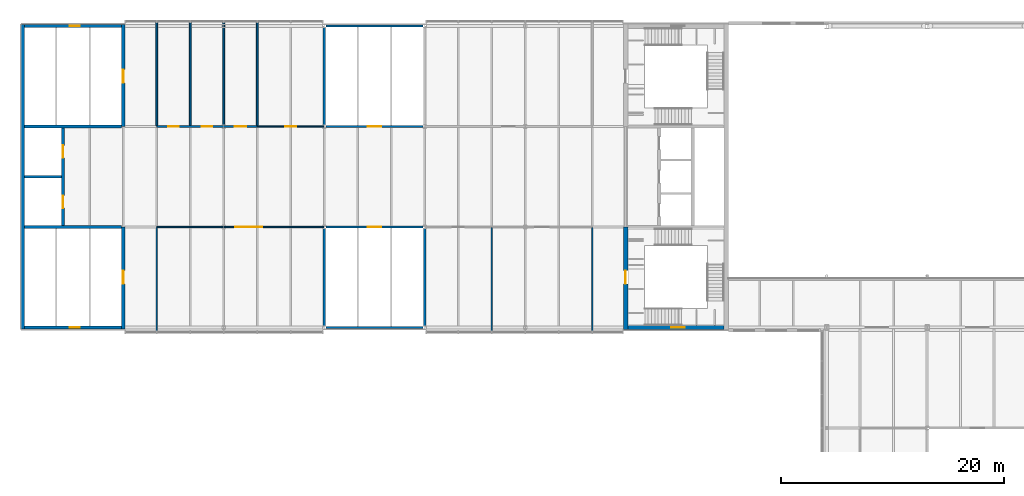
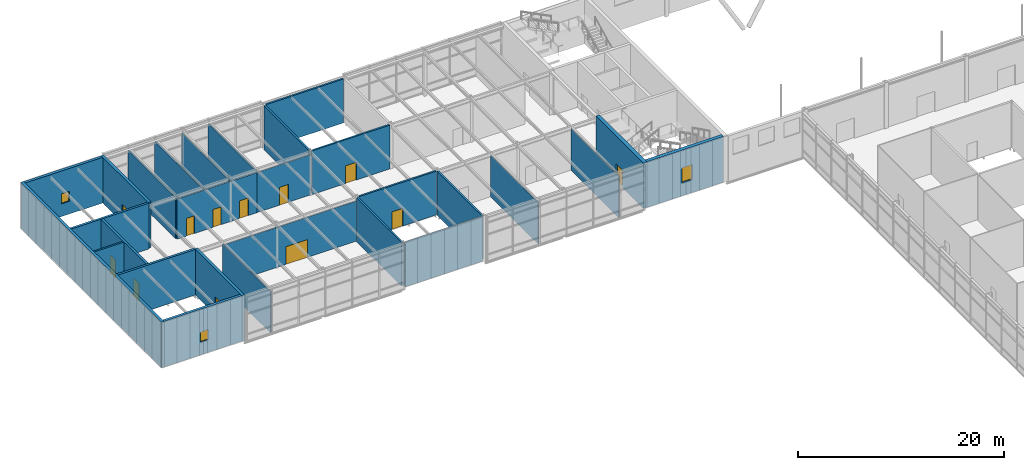
# One storey, part 36 of 46: 28 walls, 12 doors, 3 windows, 15 openings.
"""IFC4 building model written with IfcOpenShell, lengths in metres."""

from ifc_helpers import new_model, si_unit, direction, frame, frame_2d, origin, place, context, subcontext, project, spatial, rectangle, extrude, material, layer, layer_set, type_object, element, fill, save


model = new_model("IFC4")

# Units and contexts
model_context = context("Model", 3, precision=1e-05, world=origin(), true_north=direction((0.0, 1.0)))
body_context = subcontext(model_context, "Body", "Model", "MODEL_VIEW")
ifc_project = project(units=[si_unit("LENGTHUNIT", "METRE"), si_unit("AREAUNIT", "SQUARE_METRE"), si_unit("VOLUMEUNIT", "CUBIC_METRE"), si_unit("PLANEANGLEUNIT", "RADIAN"), si_unit("MASSUNIT", "GRAM", prefix="KILO")], contexts=[model_context])

# Site, building, storey
site_placement = place(None, origin())
site = spatial("IfcSite", under=ifc_project, at=site_placement, CompositionType="ELEMENT")
building_placement = place(site_placement, origin())
building = spatial("IfcBuilding", under=site, at=building_placement, Name="Azimuth Sports and Learning Centre", CompositionType="ELEMENT")
storey_placement = place(building_placement, frame((0.0, 0.0, 21.60009765625)))
storey = spatial("IfcBuildingStorey", under=building, at=storey_placement, Name="L04", CompositionType="ELEMENT", Elevation=21.60009765625)

# Wall
ifc_material_1 = material(Name="Dense masonry blockwork", Category="masonry")
ifc_layer_1 = layer(ifc_material_1, 0.199951171875)
ifc_layer_set_1 = layer_set([ifc_layer_1], Name="Dense masonry blockwork")
wall_type_1 = type_object("IfcWallType", Name="Blockwork wall 200 EI 120", PredefinedType="SOLIDWALL", material=ifc_layer_set_1)
wall_1_placement = place(storey_placement, frame((0.14990234375, 103.5, 0.0), z_axis=(0.0, 0.0, 1.0), x_axis=(1.0, 0.0, 0.0)))
element("IfcWall", 1, at=wall_1_placement, inside=storey, type_object=wall_type_1, Name="SD-WW-1-L04", PredefinedType="SOLIDWALL", context=body_context, shape_type="SweptSolid", body=[
    extrude(rectangle(XDim=3.3251953125, YDim=0.199951171875, at=frame_2d((1.66259765625, 0.0))), origin(), (0.0, 0.0, 1.0), 5.39990234375),
])

# Wall, opening, door
ifc_material_2 = material(Name="Gypsum board on steel studs", Category="steel")
ifc_layer_2 = layer(ifc_material_2, 0.10009765625)
ifc_layer_set_2 = layer_set([ifc_layer_2], Name="Gypsum board on steel studs")
wall_type_2 = type_object("IfcWallType", Name="Partition 100 EI 30", PredefinedType="PARTITIONING", material=ifc_layer_set_2)
wall_2_placement = place(storey_placement, frame((12.0, 99.0, 0.0), z_axis=(0.0, 0.0, 1.0), x_axis=(1.0, 0.0, 0.0)))
wall_2 = element("IfcWall", 2, at=wall_2_placement, inside=storey, type_object=wall_type_2, Name="Partition 100 EI 30", PredefinedType="PARTITIONING", context=body_context, shape_type="SweptSolid", body=[
    extrude(rectangle(XDim=15.0, YDim=0.10009765625, at=frame_2d((7.5, 0.0))), origin(), (0.0, 0.0, 1.0), 4.75),
])
opening_1_placement = place(wall_2_placement, frame((7.050048828125, 0.0, 0.0)))
opening_1 = element("IfcOpeningElement", 3, at=opening_1_placement, cuts=wall_2, Name="Opening D04-031", PredefinedType="OPENING", context=body_context, shape_type="SweptSolid", body=[
    extrude(rectangle(XDim=2.39990234375, YDim=2.10009765625, at=frame_2d((1.199951171875, 1.050048828125))), frame((0.0, 0.06103515625, 0.0), z_axis=(0.0, -1.0, 0.0), x_axis=(1.0, 0.0, 0.0)), (0.0, 0.0, 1.0), 0.1220703125),
])
ifc_material_3 = material(Name="Timber fire door set", Category="wood")
door_type_1 = type_object("IfcDoorType", Name="Timber door double 2400x2100 FD30S", OperationType="DOUBLE_DOOR_SINGLE_SWING", PredefinedType="DOOR", material=ifc_material_3)
door_1_placement = place(opening_1_placement, frame((2.39990234375, 0.0, 0.0), z_axis=(0.0, 0.0, 1.0), x_axis=(-1.0, 0.0, 0.0)))
door_1 = element("IfcDoor", 4, at=door_1_placement, inside=storey, type_object=door_type_1, Name="Door D04-031", OperationType="DOUBLE_DOOR_SINGLE_SWING", OverallHeight=2.10009765625, OverallWidth=2.39990234375, PredefinedType="DOOR", context=body_context, shape_type="SweptSolid", body=[
    extrude(rectangle(XDim=2.39990234375, YDim=2.10009765625, at=frame_2d((1.199951171875, 1.050048828125))), frame((0.0, 0.02490234375, 0.0), z_axis=(0.0, -1.0, 0.0), x_axis=(1.0, 0.0, 0.0)), (0.0, 0.0, 1.0), 0.050048828125),
])
fill(opening_1, door_1)

wall_3_placement = place(storey_placement, frame((21.0, 108.0, 0.0), z_axis=(0.0, 0.0, 1.0), x_axis=(1.0, 0.0, 0.0)))
wall_3 = element("IfcWall", 5, at=wall_3_placement, inside=storey, type_object=wall_type_2, Name="Partition 100 EI 30", PredefinedType="PARTITIONING", context=body_context, shape_type="SweptSolid", body=[
    extrude(rectangle(XDim=6.0, YDim=0.10009765625, at=frame_2d((3.0, 0.0))), origin(), (0.0, 0.0, 1.0), 4.75),
])
opening_2_placement = place(wall_3_placement, frame((2.5, 0.0, 0.0)))
opening_2 = element("IfcOpeningElement", 6, at=opening_2_placement, cuts=wall_3, Name="Opening D04-037", PredefinedType="OPENING", context=body_context, shape_type="SweptSolid", body=[
    extrude(rectangle(XDim=1.0, YDim=2.10009765625, at=frame_2d((0.5, 1.050048828125))), frame((0.0, 0.06103515625, 0.0), z_axis=(0.0, -1.0, 0.0), x_axis=(1.0, 0.0, 0.0)), (0.0, 0.0, 1.0), 0.1220703125),
])
ifc_material_4 = material(Name="Timber fire door set", Category="wood")
door_type_2 = type_object("IfcDoorType", Name="Timber door single 1000x2100 FD30S", OperationType="NOTDEFINED", PredefinedType="DOOR", material=ifc_material_4)
door_2_placement = place(opening_2_placement, origin())
door_2 = element("IfcDoor", 7, at=door_2_placement, inside=storey, type_object=door_type_2, Name="Door D04-037", OperationType="SINGLE_SWING_LEFT", OverallHeight=2.10009765625, OverallWidth=1.0, PredefinedType="DOOR", context=body_context, shape_type="SweptSolid", body=[
    extrude(rectangle(XDim=1.0, YDim=2.10009765625, at=frame_2d((0.5, 1.050048828125))), frame((0.0, 0.02490234375, 0.0), z_axis=(0.0, -1.0, 0.0), x_axis=(1.0, 0.0, 0.0)), (0.0, 0.0, 1.0), 0.050048828125),
])
fill(opening_2, door_2)

# Walls
for number, where, z_axis, x_axis, name in (
    (8, (12.0, 89.699951171875, 0.0), (0.0, 0.0, 1.0), (0.0, 1.0, 0.0), "Partition 100 EI 30"),
    (9, (42.0, 89.699951171875, 0.0), (0.0, 0.0, 1.0), (0.0, 1.0, 0.0), "Partition 100 EI 30"),
    (10, (51.0, 89.699951171875, 0.0), (0.0, 0.0, 1.0), (0.0, 1.0, 0.0), "Partition 100 EI 30"),
):
    element("IfcWall", number, at=place(storey_placement, frame(where, z_axis=z_axis, x_axis=x_axis)), inside=storey, type_object=wall_type_2, Name=name, PredefinedType="PARTITIONING", context=body_context, shape_type="SweptSolid", body=[
        extrude(rectangle(XDim=9.25, YDim=0.10009765625, at=frame_2d((4.625, 0.0))), origin(), (0.0, 0.0, 1.0), 4.89990234375),
    ])

# Wall, openings, doors
ifc_material_5 = material(Name="Lightweight blockwork, rendered", Category="masonry")
ifc_layer_3 = layer(ifc_material_5, 0.14990234375)
ifc_layer_set_3 = layer_set([ifc_layer_3], Name="Lightweight blockwork, rendered")
wall_type_3 = type_object("IfcWallType", Name="Partition 150 EI 60", PredefinedType="PARTITIONING", material=ifc_layer_set_3)
wall_4_placement = place(storey_placement, frame((12.0, 108.0, 0.0), z_axis=(0.0, 0.0, 1.0), x_axis=(1.0, 0.0, 0.0)))
wall_4 = element("IfcWall", 11, at=wall_4_placement, inside=storey, type_object=wall_type_3, Name="Partition 150 EI 60", PredefinedType="PARTITIONING", context=body_context, shape_type="SweptSolid", body=[
    extrude(rectangle(XDim=9.0, YDim=0.14990234375, at=frame_2d((4.5, 0.0))), origin(), (0.0, 0.0, 1.0), 4.75),
])
opening_3_placement = place(wall_4_placement, frame((1.050048828125, 0.0, 0.0)))
opening_3 = element("IfcOpeningElement", 12, at=opening_3_placement, cuts=wall_4, Name="Opening D04-034", PredefinedType="OPENING", context=body_context, shape_type="SweptSolid", body=[
    extrude(rectangle(XDim=0.89990234375, YDim=2.10009765625, at=frame_2d((0.449951171875, 1.050048828125))), frame((0.0, 0.0859375, 0.0), z_axis=(0.0, -1.0, 0.0), x_axis=(1.0, 0.0, 0.0)), (0.0, 0.0, 1.0), 0.171875),
])
opening_4_placement = place(wall_4_placement, frame((4.050048828125, 0.0, 0.0)))
opening_4 = element("IfcOpeningElement", 13, at=opening_4_placement, cuts=wall_4, Name="Opening D04-035", PredefinedType="OPENING", context=body_context, shape_type="SweptSolid", body=[
    extrude(rectangle(XDim=0.89990234375, YDim=2.10009765625, at=frame_2d((0.449951171875, 1.050048828125))), frame((0.0, 0.0859375, 0.0), z_axis=(0.0, -1.0, 0.0), x_axis=(1.0, 0.0, 0.0)), (0.0, 0.0, 1.0), 0.171875),
])
opening_5_placement = place(wall_4_placement, frame((7.0, 0.0, 0.0)))
opening_5 = element("IfcOpeningElement", 14, at=opening_5_placement, cuts=wall_4, Name="Opening D04-036", PredefinedType="OPENING", context=body_context, shape_type="SweptSolid", body=[
    extrude(rectangle(XDim=1.0, YDim=2.10009765625, at=frame_2d((0.5, 1.050048828125))), frame((0.0, 0.0859375, 0.0), z_axis=(0.0, -1.0, 0.0), x_axis=(1.0, 0.0, 0.0)), (0.0, 0.0, 1.0), 0.171875),
])
ifc_material_6 = material(Name="Timber fire door set", Category="wood")
door_type_3 = type_object("IfcDoorType", Name="Timber door single 1000x2100 FD60", OperationType="NOTDEFINED", PredefinedType="DOOR", material=ifc_material_6)
door_3_placement = place(opening_5_placement, origin())
door_3 = element("IfcDoor", 15, at=door_3_placement, inside=storey, type_object=door_type_3, Name="Door D04-036", OperationType="SINGLE_SWING_LEFT", OverallHeight=2.10009765625, OverallWidth=1.0, PredefinedType="DOOR", context=body_context, shape_type="SweptSolid", body=[
    extrude(rectangle(XDim=1.0, YDim=2.10009765625, at=frame_2d((0.5, 1.050048828125))), frame((0.0, 0.02490234375, 0.0), z_axis=(0.0, -1.0, 0.0), x_axis=(1.0, 0.0, 0.0)), (0.0, 0.0, 1.0), 0.050048828125),
])
fill(opening_5, door_3)
ifc_material_7 = material(Name="Timber fire door set", Category="wood")
door_type_4 = type_object("IfcDoorType", Name="Timber door single 900x2100 FD60", OperationType="NOTDEFINED", PredefinedType="DOOR", material=ifc_material_7)
door_4_placement = place(opening_3_placement, origin())
door_4 = element("IfcDoor", 16, at=door_4_placement, inside=storey, type_object=door_type_4, Name="Door D04-034", OperationType="SINGLE_SWING_RIGHT", OverallHeight=2.10009765625, OverallWidth=0.89990234375, PredefinedType="DOOR", context=body_context, shape_type="SweptSolid", body=[
    extrude(rectangle(XDim=0.89990234375, YDim=2.10009765625, at=frame_2d((0.449951171875, 1.050048828125))), frame((0.0, 0.02490234375, 0.0), z_axis=(0.0, -1.0, 0.0), x_axis=(1.0, 0.0, 0.0)), (0.0, 0.0, 1.0), 0.050048828125),
])
fill(opening_3, door_4)
door_5_placement = place(opening_4_placement, origin())
door_5 = element("IfcDoor", 17, at=door_5_placement, inside=storey, type_object=door_type_4, Name="Door D04-035", OperationType="SINGLE_SWING_LEFT", OverallHeight=2.10009765625, OverallWidth=0.89990234375, PredefinedType="DOOR", context=body_context, shape_type="SweptSolid", body=[
    extrude(rectangle(XDim=0.89990234375, YDim=2.10009765625, at=frame_2d((0.449951171875, 1.050048828125))), frame((0.0, 0.02490234375, 0.0), z_axis=(0.0, -1.0, 0.0), x_axis=(1.0, 0.0, 0.0)), (0.0, 0.0, 1.0), 0.050048828125),
])
fill(opening_4, door_5)

# Walls
for number, where, z_axis, x_axis, name in (
    (18, (12.0, 108.074951171875, 0.0), (0.0, 0.0, 1.0), (0.0, 1.0, 0.0), "Partition 150 EI 60"),
    (19, (15.0, 108.074951171875, 0.0), (0.0, 0.0, 1.0), (0.0, 1.0, 0.0), "Partition 150 EI 60"),
):
    element("IfcWall", number, at=place(storey_placement, frame(where, z_axis=z_axis, x_axis=x_axis)), inside=storey, type_object=wall_type_3, Name=name, PredefinedType="PARTITIONING", context=body_context, shape_type="SweptSolid", body=[
        extrude(rectangle(XDim=9.22509765625, YDim=0.14990234375, at=frame_2d((4.612548828125, 0.0))), origin(), (0.0, 0.0, 1.0), 4.89990234375),
    ])
wall_5_placement = place(storey_placement, frame((18.0, 108.074951171875, 0.0), z_axis=(0.0, 0.0, 1.0), x_axis=(0.0, 1.0, 0.0)))
element("IfcWall", 20, at=wall_5_placement, inside=storey, type_object=wall_type_3, Name="Partition 150 EI 60", PredefinedType="PARTITIONING", context=body_context, shape_type="SweptSolid", body=[
    extrude(rectangle(XDim=9.22509765625, YDim=0.14990234375, at=frame_2d((4.612548828125, 0.0))), origin(), (0.0, 0.0, 1.0), 4.83984375),
])
wall_6_placement = place(storey_placement, frame((21.0, 108.074951171875, 0.0), z_axis=(0.0, 0.0, 1.0), x_axis=(0.0, 1.0, 0.0)))
element("IfcWall", 21, at=wall_6_placement, inside=storey, type_object=wall_type_3, Name="Partition 150 EI 60", PredefinedType="PARTITIONING", context=body_context, shape_type="SweptSolid", body=[
    extrude(rectangle(XDim=9.22509765625, YDim=0.14990234375, at=frame_2d((4.612548828125, 0.0))), origin(), (0.0, 0.0, 1.0), 4.89990234375),
])

# Wall, opening, door
ifc_material_8 = material(Name="Concrete C40/50", Category="concrete")
ifc_layer_4 = layer(ifc_material_8, 0.199951171875)
ifc_layer_set_4 = layer_set([ifc_layer_4], Name="Concrete C40/50")
wall_type_4 = type_object("IfcWallType", Name="RC cell wall 200 EI 120", PredefinedType="SHEAR", material=ifc_layer_set_4)
wall_7_placement = place(storey_placement, frame((27.14990234375, 99.0, 0.0), z_axis=(0.0, 0.0, 1.0), x_axis=(1.0, 0.0, 0.0)))
wall_7 = element("IfcWall", 22, at=wall_7_placement, inside=storey, type_object=wall_type_4, Name="CE-WM1-N-L04", PredefinedType="SHEAR", context=body_context, shape_type="SweptSolid", body=[
    extrude(rectangle(XDim=8.7001953125, YDim=0.199951171875, at=frame_2d((4.35009765625, 0.0))), origin(), (0.0, 0.0, 1.0), 5.199951171875),
])
opening_6_placement = place(wall_7_placement, frame((3.75, 0.0, 0.0)))
opening_6 = element("IfcOpeningElement", 23, at=opening_6_placement, cuts=wall_7, Name="Opening D04-009", PredefinedType="OPENING", context=body_context, shape_type="SweptSolid", body=[
    extrude(rectangle(XDim=1.199951171875, YDim=2.10009765625, at=frame_2d((0.60009765625, 1.050048828125))), frame((0.0, 0.11083984375, 0.0), z_axis=(0.0, -1.0, 0.0), x_axis=(1.0, 0.0, 0.0)), (0.0, 0.0, 1.0), 0.221923828125),
])
ifc_material_9 = material(Name="Steel", Category="steel")
door_type_5 = type_object("IfcDoorType", Name="Stair fire door 1200 x 2100", OperationType="NOTDEFINED", PredefinedType="DOOR", material=ifc_material_9)
door_6_placement = place(opening_6_placement, origin())
door_6 = element("IfcDoor", 24, at=door_6_placement, inside=storey, type_object=door_type_5, Name="Stair door WM1 L04", OperationType="SINGLE_SWING_LEFT", OverallHeight=2.10009765625, OverallWidth=1.199951171875, PredefinedType="DOOR", context=body_context, shape_type="SweptSolid", body=[
    extrude(rectangle(XDim=1.199951171875, YDim=2.10009765625, at=frame_2d((0.60009765625, 1.050048828125))), frame((0.0, 0.02490234375, 0.0), z_axis=(0.0, -1.0, 0.0), x_axis=(1.0, 0.0, 0.0)), (0.0, 0.0, 1.0), 0.050048828125),
])
fill(opening_6, door_6)

# Walls
for number, where, z_axis, x_axis, name in (
    (25, (27.0, 90.14990234375, 0.0), (0.0, 0.0, 1.0), (0.0, 1.0, 0.0), "CE-WM1-W-L04"),
    (26, (36.0, 90.14990234375, 0.0), (0.0, 0.0, 1.0), (0.0, 1.0, 0.0), "CE-WM1-E-L04"),
):
    element("IfcWall", number, at=place(storey_placement, frame(where, z_axis=z_axis, x_axis=x_axis)), inside=storey, type_object=wall_type_4, Name=name, PredefinedType="SHEAR", context=body_context, shape_type="SweptSolid", body=[
        extrude(rectangle(XDim=8.7001953125, YDim=0.199951171875, at=frame_2d((4.35009765625, 0.0))), origin(), (0.0, 0.0, 1.0), 5.199951171875),
    ])

# Wall, opening, door
wall_8_placement = place(storey_placement, frame((27.14990234375, 108.0, 0.0), z_axis=(0.0, 0.0, 1.0), x_axis=(1.0, 0.0, 0.0)))
wall_8 = element("IfcWall", 27, at=wall_8_placement, inside=storey, type_object=wall_type_4, Name="CE-WM2-S-L04", PredefinedType="SHEAR", context=body_context, shape_type="SweptSolid", body=[
    extrude(rectangle(XDim=8.7001953125, YDim=0.199951171875, at=frame_2d((4.35009765625, 0.0))), origin(), (0.0, 0.0, 1.0), 5.199951171875),
])
opening_7_placement = place(wall_8_placement, frame((3.75, 0.0, 0.0)))
opening_7 = element("IfcOpeningElement", 28, at=opening_7_placement, cuts=wall_8, Name="Opening D04-010", PredefinedType="OPENING", context=body_context, shape_type="SweptSolid", body=[
    extrude(rectangle(XDim=1.199951171875, YDim=2.10009765625, at=frame_2d((0.60009765625, 1.050048828125))), frame((0.0, 0.11083984375, 0.0), z_axis=(0.0, -1.0, 0.0), x_axis=(1.0, 0.0, 0.0)), (0.0, 0.0, 1.0), 0.221923828125),
])
door_7_placement = place(opening_7_placement, frame((1.199951171875, 0.0, 0.0), z_axis=(0.0, 0.0, 1.0), x_axis=(-1.0, 0.0, 0.0)))
door_7 = element("IfcDoor", 29, at=door_7_placement, inside=storey, type_object=door_type_5, Name="Stair door WM2 L04", OperationType="SINGLE_SWING_RIGHT", OverallHeight=2.10009765625, OverallWidth=1.199951171875, PredefinedType="DOOR", context=body_context, shape_type="SweptSolid", body=[
    extrude(rectangle(XDim=1.199951171875, YDim=2.10009765625, at=frame_2d((0.60009765625, 1.050048828125))), frame((0.0, 0.02490234375, 0.0), z_axis=(0.0, -1.0, 0.0), x_axis=(1.0, 0.0, 0.0)), (0.0, 0.0, 1.0), 0.050048828125),
])
fill(opening_7, door_7)

# Walls
wall_9_placement = place(storey_placement, frame((27.0, 108.14990234375, 0.0), z_axis=(0.0, 0.0, 1.0), x_axis=(0.0, 1.0, 0.0)))
element("IfcWall", 30, at=wall_9_placement, inside=storey, type_object=wall_type_4, Name="CE-WM2-W-L04", PredefinedType="SHEAR", context=body_context, shape_type="SweptSolid", body=[
    extrude(rectangle(XDim=8.7001953125, YDim=0.199951171875, at=frame_2d((4.35009765625, 0.0))), origin(), (0.0, 0.0, 1.0), 5.199951171875),
])
ifc_material_10 = material(Name="Concrete C40/50", Category="concrete")
ifc_layer_5 = layer(ifc_material_10, 0.25)
ifc_layer_set_5 = layer_set([ifc_layer_5], Name="Concrete C40/50")
wall_type_5 = type_object("IfcWallType", Name="RC core wall 250", PredefinedType="SHEAR", material=ifc_layer_set_5)
for number, where, z_axis, x_axis, name in (
    (31, (0.14990234375, 99.0, 0.0), (0.0, 0.0, 1.0), (1.0, 0.0, 0.0), "Core wall WW D1 L04"),
    (32, (0.14990234375, 108.0, 0.0), (0.0, 0.0, 1.0), (1.0, 0.0, 0.0), "Core wall WW D2 L04"),
):
    element("IfcWall", number, at=place(storey_placement, frame(where, z_axis=z_axis, x_axis=x_axis)), inside=storey, type_object=wall_type_5, Name=name, PredefinedType="SHEAR", context=body_context, shape_type="SweptSolid", body=[
        extrude(rectangle(XDim=8.7001953125, YDim=0.25, at=frame_2d((4.35009765625, 0.0))), origin(), (0.0, 0.0, 1.0), 5.39990234375),
    ])

# Wall, openings, doors
wall_10_placement = place(storey_placement, frame((3.60009765625, 99.125, 0.0), z_axis=(0.0, 0.0, 1.0), x_axis=(0.0, 1.0, 0.0)))
wall_10 = element("IfcWall", 33, at=wall_10_placement, inside=storey, type_object=wall_type_5, Name="Core wall WW LB1 L04", PredefinedType="SHEAR", context=body_context, shape_type="SweptSolid", body=[
    extrude(rectangle(XDim=8.75, YDim=0.25, at=frame_2d((4.375, 0.0))), origin(), (0.0, 0.0, 1.0), 5.39990234375),
])
opening_8_placement = place(wall_10_placement, frame((1.574951171875, 0.0, 0.0)))
opening_8 = element("IfcOpeningElement", 34, at=opening_8_placement, cuts=wall_10, Name="Opening D04-025", PredefinedType="OPENING", context=body_context, shape_type="SweptSolid", body=[
    extrude(rectangle(XDim=1.10009765625, YDim=2.10009765625, at=frame_2d((0.550048828125, 1.050048828125))), frame((0.0, 0.135986328125, 0.0), z_axis=(0.0, -1.0, 0.0), x_axis=(1.0, 0.0, 0.0)), (0.0, 0.0, 1.0), 0.27197265625),
])
opening_9_placement = place(wall_10_placement, frame((6.074951171875, 0.0, 0.0)))
opening_9 = element("IfcOpeningElement", 35, at=opening_9_placement, cuts=wall_10, Name="Opening D04-026", PredefinedType="OPENING", context=body_context, shape_type="SweptSolid", body=[
    extrude(rectangle(XDim=1.10009765625, YDim=2.10009765625, at=frame_2d((0.550048828125, 1.050048828125))), frame((0.0, 0.135986328125, 0.0), z_axis=(0.0, -1.0, 0.0), x_axis=(1.0, 0.0, 0.0)), (0.0, 0.0, 1.0), 0.27197265625),
])
ifc_material_11 = material(Name="Stainless steel", Category="steel")
door_type_6 = type_object("IfcDoorType", Name="Lift landing door 1100 x 2100", OperationType="DOUBLE_DOOR_SLIDING", PredefinedType="DOOR", material=ifc_material_11)
door_8_placement = place(opening_8_placement, origin())
door_8 = element("IfcDoor", 36, at=door_8_placement, inside=storey, type_object=door_type_6, Name="Landing door LWW1 L04", OperationType="DOUBLE_DOOR_SLIDING", OverallHeight=2.10009765625, OverallWidth=1.10009765625, PredefinedType="DOOR", context=body_context, shape_type="SweptSolid", body=[
    extrude(rectangle(XDim=1.10009765625, YDim=2.10009765625, at=frame_2d((0.550048828125, 1.050048828125))), frame((0.0, 0.02490234375, 0.0), z_axis=(0.0, -1.0, 0.0), x_axis=(1.0, 0.0, 0.0)), (0.0, 0.0, 1.0), 0.050048828125),
])
fill(opening_8, door_8)
door_9_placement = place(opening_9_placement, origin())
door_9 = element("IfcDoor", 37, at=door_9_placement, inside=storey, type_object=door_type_6, Name="Landing door LWW2 L04", OperationType="DOUBLE_DOOR_SLIDING", OverallHeight=2.10009765625, OverallWidth=1.10009765625, PredefinedType="DOOR", context=body_context, shape_type="SweptSolid", body=[
    extrude(rectangle(XDim=1.10009765625, YDim=2.10009765625, at=frame_2d((0.550048828125, 1.050048828125))), frame((0.0, 0.02490234375, 0.0), z_axis=(0.0, -1.0, 0.0), x_axis=(1.0, 0.0, 0.0)), (0.0, 0.0, 1.0), 0.050048828125),
])
fill(opening_9, door_9)

# Wall, opening, door
ifc_material_12 = material(Name="Concrete C40/50", Category="concrete")
ifc_layer_6 = layer(ifc_material_12, 0.300048828125)
ifc_layer_set_6 = layer_set([ifc_layer_6], Name="Concrete C40/50")
wall_type_6 = type_object("IfcWallType", Name="RC core wall 300", PredefinedType="SHEAR", material=ifc_layer_set_6)
wall_11_placement = place(storey_placement, frame((9.0, 89.85009765625, 0.0), z_axis=(0.0, 0.0, 1.0), x_axis=(0.0, 1.0, 0.0)))
wall_11 = element("IfcWall", 38, at=wall_11_placement, inside=storey, type_object=wall_type_6, Name="Core wall WW ES L04", PredefinedType="SHEAR", context=body_context, shape_type="SweptSolid", body=[
    extrude(rectangle(XDim=9.14990234375, YDim=0.300048828125, at=frame_2d((4.574951171875, 0.0))), origin(), (0.0, 0.0, 1.0), 5.39990234375),
])
opening_10_placement = place(wall_11_placement, frame((4.050048828125, 0.0, 0.0)))
opening_10 = element("IfcOpeningElement", 39, at=opening_10_placement, cuts=wall_11, Name="Opening D04-005", PredefinedType="OPENING", context=body_context, shape_type="SweptSolid", body=[
    extrude(rectangle(XDim=1.199951171875, YDim=2.10009765625, at=frame_2d((0.60009765625, 1.050048828125))), frame((0.0, 0.1611328125, 0.0), z_axis=(0.0, -1.0, 0.0), x_axis=(1.0, 0.0, 0.0)), (0.0, 0.0, 1.0), 0.322021484375),
])
door_10_placement = place(opening_10_placement, frame((1.199951171875, 0.0, 0.0), z_axis=(0.0, 0.0, 1.0), x_axis=(-1.0, 0.0, 0.0)))
door_10 = element("IfcDoor", 40, at=door_10_placement, inside=storey, type_object=door_type_5, Name="Stair door WW1 L04", OperationType="SINGLE_SWING_LEFT", OverallHeight=2.10009765625, OverallWidth=1.199951171875, PredefinedType="DOOR", context=body_context, shape_type="SweptSolid", body=[
    extrude(rectangle(XDim=1.199951171875, YDim=2.10009765625, at=frame_2d((0.60009765625, 1.050048828125))), frame((0.0, 0.02490234375, 0.0), z_axis=(0.0, -1.0, 0.0), x_axis=(1.0, 0.0, 0.0)), (0.0, 0.0, 1.0), 0.050048828125),
])
fill(opening_10, door_10)

wall_12_placement = place(storey_placement, frame((9.0, 108.0, 0.0), z_axis=(0.0, 0.0, 1.0), x_axis=(0.0, 1.0, 0.0)))
wall_12 = element("IfcWall", 41, at=wall_12_placement, inside=storey, type_object=wall_type_6, Name="Core wall WW EN L04", PredefinedType="SHEAR", context=body_context, shape_type="SweptSolid", body=[
    extrude(rectangle(XDim=9.14990234375, YDim=0.300048828125, at=frame_2d((4.574951171875, 0.0))), origin(), (0.0, 0.0, 1.0), 5.39990234375),
])
opening_11_placement = place(wall_12_placement, frame((3.89990234375, 0.0, 0.0)))
opening_11 = element("IfcOpeningElement", 42, at=opening_11_placement, cuts=wall_12, Name="Opening D04-006", PredefinedType="OPENING", context=body_context, shape_type="SweptSolid", body=[
    extrude(rectangle(XDim=1.199951171875, YDim=2.10009765625, at=frame_2d((0.60009765625, 1.050048828125))), frame((0.0, 0.1611328125, 0.0), z_axis=(0.0, -1.0, 0.0), x_axis=(1.0, 0.0, 0.0)), (0.0, 0.0, 1.0), 0.322021484375),
])
door_11_placement = place(opening_11_placement, frame((1.199951171875, 0.0, 0.0), z_axis=(0.0, 0.0, 1.0), x_axis=(-1.0, 0.0, 0.0)))
door_11 = element("IfcDoor", 43, at=door_11_placement, inside=storey, type_object=door_type_5, Name="Stair door WW2 L04", OperationType="SINGLE_SWING_RIGHT", OverallHeight=2.10009765625, OverallWidth=1.199951171875, PredefinedType="DOOR", context=body_context, shape_type="SweptSolid", body=[
    extrude(rectangle(XDim=1.199951171875, YDim=2.10009765625, at=frame_2d((0.60009765625, 1.050048828125))), frame((0.0, 0.02490234375, 0.0), z_axis=(0.0, -1.0, 0.0), x_axis=(1.0, 0.0, 0.0)), (0.0, 0.0, 1.0), 0.050048828125),
])
fill(opening_11, door_11)

ifc_material_13 = material(Name="Concrete C40/50", Category="concrete")
ifc_layer_7 = layer(ifc_material_13, 0.39990234375)
ifc_layer_set_7 = layer_set([ifc_layer_7], Name="Concrete C40/50")
wall_type_7 = type_object("IfcWallType", Name="RC core wall 400", PredefinedType="SHEAR", material=ifc_layer_set_7)
wall_13_placement = place(storey_placement, frame((54.0, 89.800048828125, 0.0), z_axis=(0.0, 0.0, 1.0), x_axis=(0.0, 1.0, 0.0)))
wall_13 = element("IfcWall", 44, at=wall_13_placement, inside=storey, type_object=wall_type_7, Name="Core wall W WS L04", PredefinedType="SHEAR", context=body_context, shape_type="SweptSolid", body=[
    extrude(rectangle(XDim=9.199951171875, YDim=0.39990234375, at=frame_2d((4.60009765625, 0.0))), origin(), (0.0, 0.0, 1.0), 5.39990234375),
])
opening_12_placement = place(wall_13_placement, frame((4.10009765625, 0.0, 0.0)))
opening_12 = element("IfcOpeningElement", 45, at=opening_12_placement, cuts=wall_13, Name="Opening D04-001", PredefinedType="OPENING", context=body_context, shape_type="SweptSolid", body=[
    extrude(rectangle(XDim=1.199951171875, YDim=2.10009765625, at=frame_2d((0.60009765625, 1.050048828125))), frame((0.0, 0.2109375, 0.0), z_axis=(0.0, -1.0, 0.0), x_axis=(1.0, 0.0, 0.0)), (0.0, 0.0, 1.0), 0.421875),
])
door_12_placement = place(opening_12_placement, origin())
door_12 = element("IfcDoor", 46, at=door_12_placement, inside=storey, type_object=door_type_5, Name="Stair door W1 L04", OperationType="SINGLE_SWING_RIGHT", OverallHeight=2.10009765625, OverallWidth=1.199951171875, PredefinedType="DOOR", context=body_context, shape_type="SweptSolid", body=[
    extrude(rectangle(XDim=1.199951171875, YDim=2.10009765625, at=frame_2d((0.60009765625, 1.050048828125))), frame((0.0, 0.02490234375, 0.0), z_axis=(0.0, -1.0, 0.0), x_axis=(1.0, 0.0, 0.0)), (0.0, 0.0, 1.0), 0.050048828125),
])
fill(opening_12, door_12)

# Walls
ifc_material_14 = material(Name="Concrete C40/50", Category="concrete")
ifc_layer_8 = layer(ifc_material_14, 0.199951171875)
ifc_layer_set_8 = layer_set([ifc_layer_8], Name="Concrete C40/50")
wall_type_8 = type_object("IfcWallType", Name="RC external cell wall 200 EI 120", PredefinedType="SHEAR", material=ifc_layer_set_8)
for number, where, z_axis, x_axis, name in (
    (47, (27.14990234375, 90.0, 0.0), (0.0, 0.0, 1.0), (1.0, 0.0, 0.0), "CE-WM1-S-L04"),
    (48, (27.14990234375, 117.0, 0.0), (0.0, 0.0, 1.0), (1.0, 0.0, 0.0), "CE-WM2-N-L04"),
):
    element("IfcWall", number, at=place(storey_placement, frame(where, z_axis=z_axis, x_axis=x_axis)), inside=storey, type_object=wall_type_8, Name=name, PredefinedType="SHEAR", context=body_context, shape_type="SweptSolid", body=[
        extrude(rectangle(XDim=8.7001953125, YDim=0.199951171875, at=frame_2d((4.35009765625, 0.0))), origin(), (0.0, 0.0, 1.0), 5.199951171875),
    ])

# Wall, opening, window
ifc_material_15 = material(Name="Concrete C40/50", Category="concrete")
ifc_layer_9 = layer(ifc_material_15, 0.300048828125)
ifc_layer_set_9 = layer_set([ifc_layer_9], Name="Concrete C40/50")
wall_type_9 = type_object("IfcWallType", Name="RC external core wall 300", PredefinedType="SHEAR", material=ifc_layer_set_9)
wall_14_placement = place(storey_placement, frame((0.14990234375, 90.0, 0.0), z_axis=(0.0, 0.0, 1.0), x_axis=(1.0, 0.0, 0.0)))
wall_14 = element("IfcWall", 49, at=wall_14_placement, inside=storey, type_object=wall_type_9, Name="Core wall WW S L04", PredefinedType="SHEAR", context=body_context, shape_type="SweptSolid", body=[
    extrude(rectangle(XDim=8.7001953125, YDim=0.300048828125, at=frame_2d((4.35009765625, 0.0))), origin(), (0.0, 0.0, 1.0), 5.39990234375),
])
opening_13_placement = place(wall_14_placement, frame((4.050048828125, 0.0, 1.5)))
opening_13 = element("IfcOpeningElement", 50, at=opening_13_placement, cuts=wall_14, Name="Opening W04-001", PredefinedType="OPENING", context=body_context, shape_type="SweptSolid", body=[
    extrude(rectangle(XDim=0.89990234375, YDim=1.199951171875, at=frame_2d((0.449951171875, 0.60009765625))), frame((0.0, 0.1611328125, 0.0), z_axis=(0.0, -1.0, 0.0), x_axis=(1.0, 0.0, 0.0)), (0.0, 0.0, 1.0), 0.322021484375),
])
ifc_material_16 = material(Name="Aluminium and glass", Category="aluminium")
window_type_1 = type_object("IfcWindowType", Name="Stair window end core 900x1200", PartitioningType="SINGLE_PANEL", PredefinedType="WINDOW", material=ifc_material_16)
window_1_placement = place(opening_13_placement, origin())
window_1 = element("IfcWindow", 51, at=window_1_placement, inside=storey, type_object=window_type_1, Name="Window W04-001", OverallHeight=1.199951171875, OverallWidth=0.89990234375, PartitioningType="SINGLE_PANEL", PredefinedType="WINDOW", context=body_context, shape_type="SweptSolid", body=[
    extrude(rectangle(XDim=0.89990234375, YDim=1.199951171875, at=frame_2d((0.449951171875, 0.60009765625))), frame((0.0, 0.030029296875, 0.0), z_axis=(0.0, -1.0, 0.0), x_axis=(1.0, 0.0, 0.0)), (0.0, 0.0, 1.0), 0.06005859375),
])
fill(opening_13, window_1)

wall_15_placement = place(storey_placement, frame((0.14990234375, 117.0, 0.0), z_axis=(0.0, 0.0, 1.0), x_axis=(1.0, 0.0, 0.0)))
wall_15 = element("IfcWall", 52, at=wall_15_placement, inside=storey, type_object=wall_type_9, Name="Core wall WW N L04", PredefinedType="SHEAR", context=body_context, shape_type="SweptSolid", body=[
    extrude(rectangle(XDim=8.7001953125, YDim=0.300048828125, at=frame_2d((4.35009765625, 0.0))), origin(), (0.0, 0.0, 1.0), 5.39990234375),
])
opening_14_placement = place(wall_15_placement, frame((4.050048828125, 0.0, 1.5)))
opening_14 = element("IfcOpeningElement", 53, at=opening_14_placement, cuts=wall_15, Name="Opening W04-018", PredefinedType="OPENING", context=body_context, shape_type="SweptSolid", body=[
    extrude(rectangle(XDim=0.89990234375, YDim=1.199951171875, at=frame_2d((0.449951171875, 0.60009765625))), frame((0.0, 0.1611328125, 0.0), z_axis=(0.0, -1.0, 0.0), x_axis=(1.0, 0.0, 0.0)), (0.0, 0.0, 1.0), 0.322021484375),
])
window_2_placement = place(opening_14_placement, origin())
window_2 = element("IfcWindow", 54, at=window_2_placement, inside=storey, type_object=window_type_1, Name="Window W04-018", OverallHeight=1.199951171875, OverallWidth=0.89990234375, PartitioningType="SINGLE_PANEL", PredefinedType="WINDOW", context=body_context, shape_type="SweptSolid", body=[
    extrude(rectangle(XDim=0.89990234375, YDim=1.199951171875, at=frame_2d((0.449951171875, 0.60009765625))), frame((0.0, 0.030029296875, 0.0), z_axis=(0.0, -1.0, 0.0), x_axis=(1.0, 0.0, 0.0)), (0.0, 0.0, 1.0), 0.06005859375),
])
fill(opening_14, window_2)

# Wall
wall_16_placement = place(storey_placement, frame((0.0, 89.85009765625, 0.0), z_axis=(0.0, 0.0, 1.0), x_axis=(0.0, 1.0, 0.0)))
element("IfcWall", 55, at=wall_16_placement, inside=storey, type_object=wall_type_9, Name="Core wall WW W L04", PredefinedType="SHEAR", context=body_context, shape_type="SweptSolid", body=[
    extrude(rectangle(XDim=27.2998046875, YDim=0.300048828125, at=frame_2d((13.64990234375, 0.0))), origin(), (0.0, 0.0, 1.0), 5.39990234375),
])

# Wall, opening, window
ifc_material_17 = material(Name="Concrete C40/50", Category="concrete")
ifc_layer_10 = layer(ifc_material_17, 0.39990234375)
ifc_layer_set_10 = layer_set([ifc_layer_10], Name="Concrete C40/50")
wall_type_10 = type_object("IfcWallType", Name="RC external core wall 400", PredefinedType="SHEAR", material=ifc_layer_set_10)
wall_17_placement = place(storey_placement, frame((54.199951171875, 90.0, 0.0), z_axis=(0.0, 0.0, 1.0), x_axis=(1.0, 0.0, 0.0)))
wall_17 = element("IfcWall", 56, at=wall_17_placement, inside=storey, type_object=wall_type_10, Name="Core wall W S L04", PredefinedType="SHEAR", context=body_context, shape_type="SweptSolid", body=[
    extrude(rectangle(XDim=8.60009765625, YDim=0.39990234375, at=frame_2d((4.300048828125, 0.0))), origin(), (0.0, 0.0, 1.0), 5.39990234375),
])
opening_15_placement = place(wall_17_placement, frame((3.89990234375, 0.0, 1.5)))
opening_15 = element("IfcOpeningElement", 57, at=opening_15_placement, cuts=wall_17, Name="Opening W04-002", PredefinedType="OPENING", context=body_context, shape_type="SweptSolid", body=[
    extrude(rectangle(XDim=1.199951171875, YDim=1.800048828125, at=frame_2d((0.60009765625, 0.89990234375))), frame((0.0, 0.2109375, 0.0), z_axis=(0.0, -1.0, 0.0), x_axis=(1.0, 0.0, 0.0)), (0.0, 0.0, 1.0), 0.421875),
])
ifc_material_18 = material(Name="Aluminium and glass", Category="aluminium")
window_type_2 = type_object("IfcWindowType", Name="Stair window podium core 1200x1800", PartitioningType="SINGLE_PANEL", PredefinedType="WINDOW", material=ifc_material_18)
window_3_placement = place(opening_15_placement, origin())
window_3 = element("IfcWindow", 58, at=window_3_placement, inside=storey, type_object=window_type_2, Name="Window W04-002", OverallHeight=1.800048828125, OverallWidth=1.199951171875, PartitioningType="SINGLE_PANEL", PredefinedType="WINDOW", context=body_context, shape_type="SweptSolid", body=[
    extrude(rectangle(XDim=1.199951171875, YDim=1.800048828125, at=frame_2d((0.60009765625, 0.89990234375))), frame((0.0, 0.030029296875, 0.0), z_axis=(0.0, -1.0, 0.0), x_axis=(1.0, 0.0, 0.0)), (0.0, 0.0, 1.0), 0.06005859375),
])
fill(opening_15, window_3)

save(model, "model.ifc")
